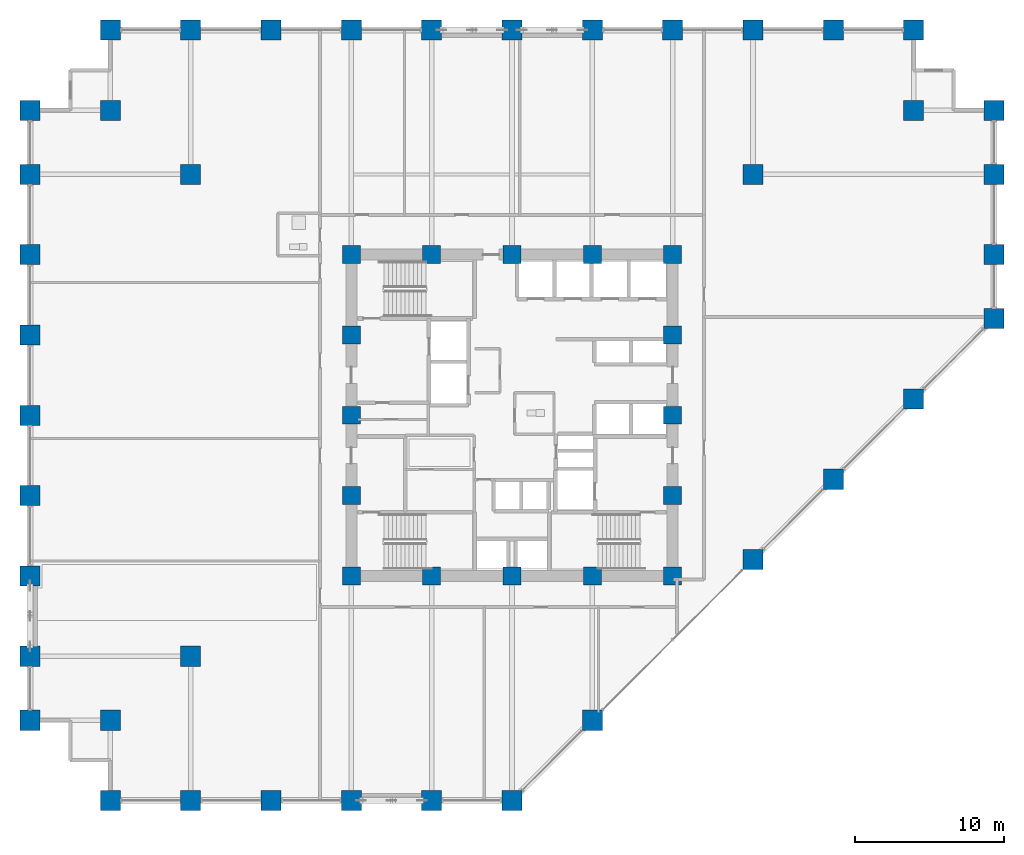
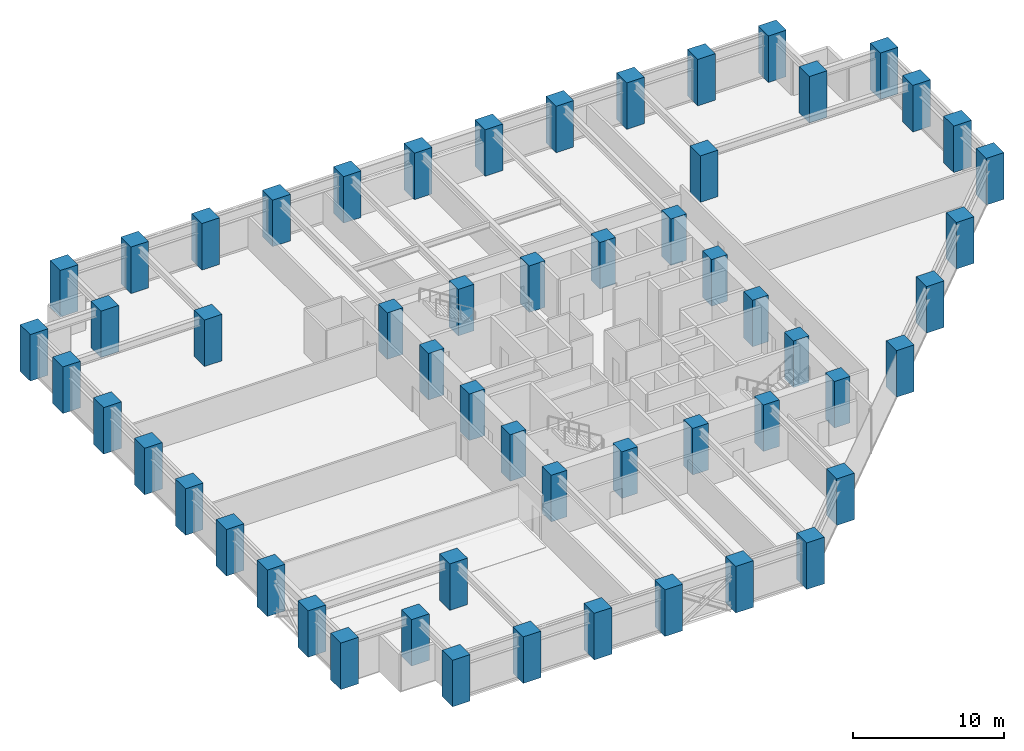
# One storey, part 1 of 25: 56 columns.
"""IFC4 building model written with IfcOpenShell, lengths in metres."""

from ifc_helpers import new_model, si_unit, direction, frame, origin, origin_2d, place, context, subcontext, project, spatial, rectangle, extrude, material, material_profile, profile_set, type_object, element, save


model = new_model("IFC4")

# Units and contexts
model_context = context("Model", 3, precision=1e-05, world=origin(), true_north=direction((0.0, 1.0)))
body_context = subcontext(model_context, "Body", "Model", "MODEL_VIEW")
ifc_project = project(units=[si_unit("LENGTHUNIT", "METRE"), si_unit("AREAUNIT", "SQUARE_METRE"), si_unit("VOLUMEUNIT", "CUBIC_METRE"), si_unit("PLANEANGLEUNIT", "RADIAN"), si_unit("MASSUNIT", "GRAM", prefix="KILO")], contexts=[model_context])

# Site, building, storey
site_placement = place(None, origin())
site = spatial("IfcSite", under=ifc_project, at=site_placement, CompositionType="ELEMENT")
building_placement = place(site_placement, origin())
building = spatial("IfcBuilding", under=site, at=building_placement, Name="Surkhivell Harbour Commons", CompositionType="ELEMENT")
storey_placement = place(building_placement, frame((0.0, 0.0, 48.75)))
storey = spatial("IfcBuildingStorey", under=building, at=storey_placement, Name="L12", CompositionType="ELEMENT", Elevation=48.75)

# Columns
ifc_material = material(Name="Concrete C80/95", Category="concrete")
ifc_material_profile_1 = material_profile(ifc_material, rectangle(XDim=1.35009765625, YDim=1.35009765625, at=origin_2d()), Name="RC-COL-1350x1350")
ifc_profile_set_1 = profile_set([ifc_material_profile_1], Name="Concrete C80/95")
column_type_1 = type_object("IfcColumnType", Name="COL-TUBE-Z1A", PredefinedType="COLUMN", material=ifc_profile_set_1)
for number, where, z_axis, x_axis, name in (
    (1, (-32.39990234375, -20.5, 0.0), (0.0, 0.0, 1.0), (1.0, 0.0, 0.0), "L12 Column CT-1A (-32.4,-20.5)"),
    (2, (-32.39990234375, -16.199951171875, 0.0), (0.0, 0.0, 1.0), (1.0, 0.0, 0.0), "L12 Column CT-1A (-32.4,-16.2)"),
    (3, (-32.39990234375, -10.800048828125, 0.0), (0.0, 0.0, 1.0), (1.0, 0.0, 0.0), "L12 Column CT-1A (-32.4,-10.8)"),
    (4, (-32.39990234375, -5.39990234375, 0.0), (0.0, 0.0, 1.0), (1.0, 0.0, 0.0), "L12 Column CT-1A (-32.4,-5.4)"),
    (5, (-32.39990234375, 0.0, 0.0), (0.0, 0.0, 1.0), (1.0, 0.0, 0.0), "L12 Column CT-1A (-32.4,0.0)"),
    (6, (-32.39990234375, 5.39990234375, 0.0), (0.0, 0.0, 1.0), (1.0, 0.0, 0.0), "L12 Column CT-1A (-32.4,5.4)"),
    (7, (-32.39990234375, 10.800048828125, 0.0), (0.0, 0.0, 1.0), (1.0, 0.0, 0.0), "L12 Column CT-1A (-32.4,10.8)"),
    (8, (-32.39990234375, 16.199951171875, 0.0), (0.0, 0.0, 1.0), (1.0, 0.0, 0.0), "L12 Column CT-1A (-32.4,16.2)"),
    (9, (-32.39990234375, 20.5, 0.0), (0.0, 0.0, 1.0), (1.0, 0.0, 0.0), "L12 Column CT-1A (-32.4,20.5)"),
    (10, (-27.0, -25.89990234375, 0.0), (0.0, 0.0, 1.0), (1.0, 0.0, 0.0), "L12 Column CT-1A (-27.0,-25.9)"),
    (11, (-27.0, -20.5, 0.0), (0.0, 0.0, 1.0), (1.0, 0.0, 0.0), "L12 Column CT-1A (-27.0,-20.5)"),
    (12, (-27.0, 20.5, 0.0), (0.0, 0.0, 1.0), (1.0, 0.0, 0.0), "L12 Column CT-1A (-27.0,20.5)"),
    (13, (-27.0, 25.89990234375, 0.0), (0.0, 0.0, 1.0), (1.0, 0.0, 0.0), "L12 Column CT-1A (-27.0,25.9)"),
    (14, (-21.60009765625, -25.89990234375, 0.0), (0.0, 0.0, 1.0), (1.0, 0.0, 0.0), "L12 Column CT-1A (-21.6,-25.9)"),
    (15, (-21.60009765625, -16.199951171875, 0.0), (0.0, 0.0, 1.0), (1.0, 0.0, 0.0), "L12 Column CT-1A (-21.6,-16.2)"),
    (16, (-21.60009765625, 16.199951171875, 0.0), (0.0, 0.0, 1.0), (1.0, 0.0, 0.0), "L12 Column CT-1A (-21.6,16.2)"),
    (17, (-21.60009765625, 25.89990234375, 0.0), (0.0, 0.0, 1.0), (1.0, 0.0, 0.0), "L12 Column CT-1A (-21.6,25.9)"),
    (18, (-16.199951171875, -25.89990234375, 0.0), (0.0, 0.0, 1.0), (1.0, 0.0, 0.0), "L12 Column CT-1A (-16.2,-25.9)"),
    (19, (-16.199951171875, 25.89990234375, 0.0), (0.0, 0.0, 1.0), (1.0, 0.0, 0.0), "L12 Column CT-1A (-16.2,25.9)"),
    (20, (-10.800048828125, -25.89990234375, 0.0), (0.0, 0.0, 1.0), (1.0, 0.0, 0.0), "L12 Column CT-1A (-10.8,-25.9)"),
    (21, (-10.800048828125, 25.89990234375, 0.0), (0.0, 0.0, 1.0), (1.0, 0.0, 0.0), "L12 Column CT-1A (-10.8,25.9)"),
    (22, (-5.39990234375, -25.89990234375, 0.0), (0.0, 0.0, 1.0), (1.0, 0.0, 0.0), "L12 Column CT-1A (-5.4,-25.9)"),
    (23, (-5.39990234375, 25.89990234375, 0.0), (0.0, 0.0, 1.0), (1.0, 0.0, 0.0), "L12 Column CT-1A (-5.4,25.9)"),
    (24, (0.0, -25.89990234375, 0.0), (0.0, 0.0, 1.0), (1.0, 0.0, 0.0), "L12 Column CT-1A (-0.0,-25.9)"),
    (25, (0.0, 25.89990234375, 0.0), (0.0, 0.0, 1.0), (1.0, 0.0, 0.0), "L12 Column CT-1A (-0.0,25.9)"),
    (26, (5.39990234375, -20.5, 0.0), (0.0, 0.0, 1.0), (1.0, 0.0, 0.0), "L12 Column CT-1A (5.4,-20.5)"),
    (27, (5.39990234375, 25.89990234375, 0.0), (0.0, 0.0, 1.0), (1.0, 0.0, 0.0), "L12 Column CT-1A (5.4,25.9)"),
    (28, (10.800048828125, 25.89990234375, 0.0), (0.0, 0.0, 1.0), (1.0, 0.0, 0.0), "L12 Column CT-1A (10.8,25.9)"),
    (29, (16.199951171875, -9.699951171875, 0.0), (0.0, 0.0, 1.0), (1.0, 0.0, 0.0), "L12 Column CT-1A (16.2,-9.7)"),
    (30, (16.199951171875, 16.199951171875, 0.0), (0.0, 0.0, 1.0), (1.0, 0.0, 0.0), "L12 Column CT-1A (16.2,16.2)"),
    (31, (16.199951171875, 25.89990234375, 0.0), (0.0, 0.0, 1.0), (1.0, 0.0, 0.0), "L12 Column CT-1A (16.2,25.9)"),
    (32, (21.60009765625, -4.300048828125, 0.0), (0.0, 0.0, 1.0), (1.0, 0.0, 0.0), "L12 Column CT-1A (21.6,-4.3)"),
    (33, (21.60009765625, 25.89990234375, 0.0), (0.0, 0.0, 1.0), (1.0, 0.0, 0.0), "L12 Column CT-1A (21.6,25.9)"),
    (34, (27.0, 1.10009765625, 0.0), (0.0, 0.0, 1.0), (1.0, 0.0, 0.0), "L12 Column CT-1A (27.0,1.1)"),
    (35, (27.0, 20.5, 0.0), (0.0, 0.0, 1.0), (1.0, 0.0, 0.0), "L12 Column CT-1A (27.0,20.5)"),
    (36, (27.0, 25.89990234375, 0.0), (0.0, 0.0, 1.0), (1.0, 0.0, 0.0), "L12 Column CT-1A (27.0,25.9)"),
    (37, (32.39990234375, 6.5, 0.0), (0.0, 0.0, 1.0), (1.0, 0.0, 0.0), "L12 Column CT-1A (32.4,6.5)"),
    (38, (32.39990234375, 10.800048828125, 0.0), (0.0, 0.0, 1.0), (1.0, 0.0, 0.0), "L12 Column CT-1A (32.4,10.8)"),
    (39, (32.39990234375, 16.199951171875, 0.0), (0.0, 0.0, 1.0), (1.0, 0.0, 0.0), "L12 Column CT-1A (32.4,16.2)"),
    (40, (32.39990234375, 20.5, 0.0), (0.0, 0.0, 1.0), (1.0, 0.0, 0.0), "L12 Column CT-1A (32.4,20.5)"),
):
    element("IfcColumn", number, at=place(storey_placement, frame(where, z_axis=z_axis, x_axis=x_axis)), inside=storey, type_object=column_type_1, Name=name, PredefinedType="COLUMN", context=body_context, shape_type="SweptSolid", body=[
        extrude(rectangle(XDim=1.35009765625, YDim=1.35009765625, at=origin_2d()), origin(), (0.0, 0.0, 1.0), 3.75),
    ])
ifc_material_profile_2 = material_profile(ifc_material, rectangle(XDim=1.199951171875, YDim=1.199951171875, at=origin_2d()), Name="RC-COL-1200x1200")
ifc_profile_set_2 = profile_set([ifc_material_profile_2], Name="Concrete C80/95")
column_type_2 = type_object("IfcColumnType", Name="COL-TUBE-Z1B", PredefinedType="COLUMN", material=ifc_profile_set_2)
for number, where, z_axis, x_axis, name in (
    (41, (-10.800048828125, -10.800048828125, 0.0), (0.0, 0.0, 1.0), (1.0, 0.0, 0.0), "L12 Column CT-1B (-10.8,-10.8)"),
    (42, (-10.800048828125, -5.39990234375, 0.0), (0.0, 0.0, 1.0), (1.0, 0.0, 0.0), "L12 Column CT-1B (-10.8,-5.4)"),
    (43, (-10.800048828125, 0.0, 0.0), (0.0, 0.0, 1.0), (1.0, 0.0, 0.0), "L12 Column CT-1B (-10.8,0.0)"),
    (44, (-10.800048828125, 5.39990234375, 0.0), (0.0, 0.0, 1.0), (1.0, 0.0, 0.0), "L12 Column CT-1B (-10.8,5.4)"),
    (45, (-10.800048828125, 10.800048828125, 0.0), (0.0, 0.0, 1.0), (1.0, 0.0, 0.0), "L12 Column CT-1B (-10.8,10.8)"),
    (46, (-5.39990234375, -10.800048828125, 0.0), (0.0, 0.0, 1.0), (1.0, 0.0, 0.0), "L12 Column CT-1B (-5.4,-10.8)"),
    (47, (-5.39990234375, 10.800048828125, 0.0), (0.0, 0.0, 1.0), (1.0, 0.0, 0.0), "L12 Column CT-1B (-5.4,10.8)"),
    (48, (0.0, -10.800048828125, 0.0), (0.0, 0.0, 1.0), (1.0, 0.0, 0.0), "L12 Column CT-1B (0.0,-10.8)"),
    (49, (0.0, 10.800048828125, 0.0), (0.0, 0.0, 1.0), (1.0, 0.0, 0.0), "L12 Column CT-1B (0.0,10.8)"),
    (50, (5.39990234375, -10.800048828125, 0.0), (0.0, 0.0, 1.0), (1.0, 0.0, 0.0), "L12 Column CT-1B (5.4,-10.8)"),
    (51, (5.39990234375, 10.800048828125, 0.0), (0.0, 0.0, 1.0), (1.0, 0.0, 0.0), "L12 Column CT-1B (5.4,10.8)"),
    (52, (10.800048828125, -10.800048828125, 0.0), (0.0, 0.0, 1.0), (1.0, 0.0, 0.0), "L12 Column CT-1B (10.8,-10.8)"),
    (53, (10.800048828125, -5.39990234375, 0.0), (0.0, 0.0, 1.0), (1.0, 0.0, 0.0), "L12 Column CT-1B (10.8,-5.4)"),
    (54, (10.800048828125, 0.0, 0.0), (0.0, 0.0, 1.0), (1.0, 0.0, 0.0), "L12 Column CT-1B (10.8,0.0)"),
    (55, (10.800048828125, 5.39990234375, 0.0), (0.0, 0.0, 1.0), (1.0, 0.0, 0.0), "L12 Column CT-1B (10.8,5.4)"),
    (56, (10.800048828125, 10.800048828125, 0.0), (0.0, 0.0, 1.0), (1.0, 0.0, 0.0), "L12 Column CT-1B (10.8,10.8)"),
):
    element("IfcColumn", number, at=place(storey_placement, frame(where, z_axis=z_axis, x_axis=x_axis)), inside=storey, type_object=column_type_2, Name=name, PredefinedType="COLUMN", context=body_context, shape_type="SweptSolid", body=[
        extrude(rectangle(XDim=1.199951171875, YDim=1.199951171875, at=origin_2d()), origin(), (0.0, 0.0, 1.0), 3.75),
    ])

save(model, "model.ifc")
